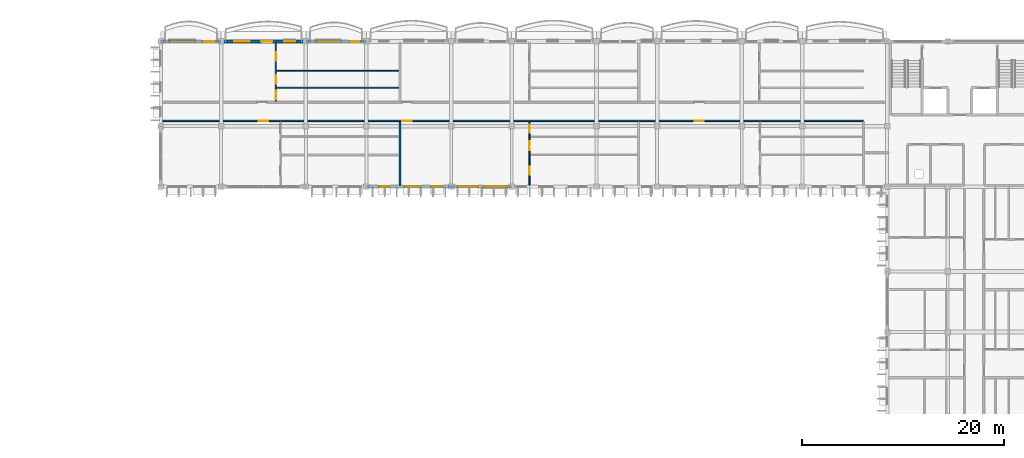
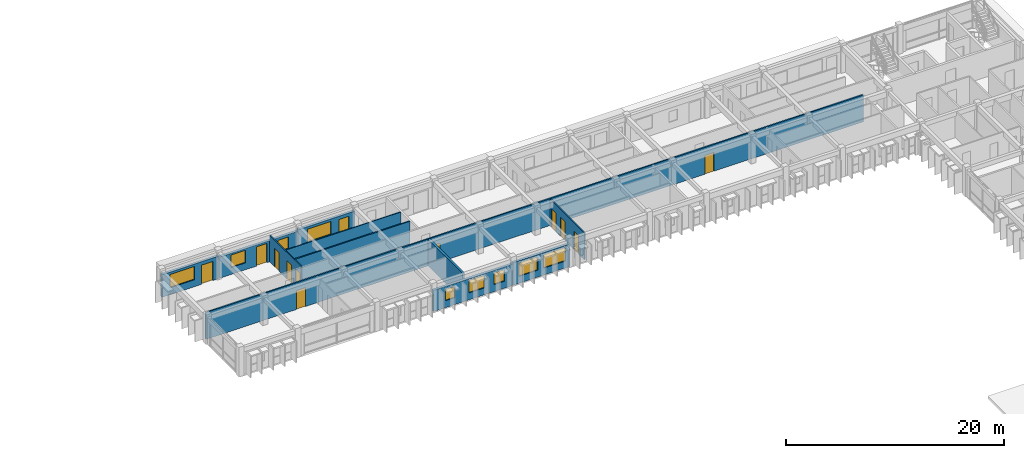
# One storey, part 30 of 54: 12 doors, 11 walls, 9 windows, 21 openings.
"""IFC4 building model written with IfcOpenShell, lengths in metres."""

import ifcopenshell
import ifcopenshell.guid

model = None  # the IFC model being written
_history = None  # IfcOwnerHistory: only IFC2X3 demands one
_inside = {}  # id of a spatial element -> (the spatial element, [elements in it])
_under = {}  # id of a project, library or spatial element -> (it, [spatial elements below it])
_declared = {}  # id of a project -> (the project, [libraries it declares])
_typed = {}  # id of a type object -> (the type object, [elements of that type])
_made_of = {}  # id of a material, layer set ... -> (it, [elements and type objects made of it])


def new_model(schema):
    """Start an empty IFC model of exactly this schema.

    Asked for "IFC4X3", IfcOpenShell would pick the latest addendum, in which some entities
    have other attributes; the version numbers below select the first issue.
    IFC2X3 requires an IfcOwnerHistory on every rooted entity: one is made here for all.
    """
    global model, _history
    if schema == "IFC4X3":
        model = ifcopenshell.file(schema_version=(4, 3, 0, 0))
    else:
        model = ifcopenshell.file(schema=schema)
    _inside.clear()
    _under.clear()
    _declared.clear()
    _typed.clear()
    _made_of.clear()
    _history = None
    if model.schema == "IFC2X3":
        org = make("IfcOrganization", Name="unknown")
        user = make(
            "IfcPersonAndOrganization",
            ThePerson=make("IfcPerson", FamilyName="unknown"),
            TheOrganization=org,
        )
        app = make(
            "IfcApplication",
            ApplicationDeveloper=org,
            Version="unknown",
            ApplicationFullName="unknown",
            ApplicationIdentifier="unknown",
        )
        _history = make(
            "IfcOwnerHistory",
            OwningUser=user,
            OwningApplication=app,
            ChangeAction="ADDED",
            CreationDate=0,
        )
    return model


def make(cls, **values):
    """One entity of the class cls with the attributes given. An attribute that is None is left unset."""
    return model.create_entity(
        cls, **{name: value for name, value in values.items() if value is not None}
    )


def rooted(cls, **values):
    """An entity with a GlobalId (a new one), such as an element, a storey or a relation."""
    return make(cls, GlobalId=ifcopenshell.guid.new(), OwnerHistory=_history, **values)


def si_unit(unit_type, name, prefix=None):
    """IfcSIUnit, for example si_unit("LENGTHUNIT", "METRE", prefix="MILLI")."""
    return make("IfcSIUnit", UnitType=unit_type, Prefix=prefix, Name=name)


def assignment(units):
    """IfcUnitAssignment: the units of a project."""
    return None if units is None else make("IfcUnitAssignment", Units=units)


def point(xyz):
    """IfcCartesianPoint."""
    return None if xyz is None else make("IfcCartesianPoint", Coordinates=xyz)


def direction(xyz):
    """IfcDirection."""
    return None if xyz is None else make("IfcDirection", DirectionRatios=xyz)


def frame(location, z_axis=None, x_axis=None):
    """IfcAxis2Placement3D, a coordinate frame: its origin and axes. An axis left out is left unset."""
    return make(
        "IfcAxis2Placement3D",
        Location=point(location),
        Axis=direction(z_axis),
        RefDirection=direction(x_axis),
    )


def frame_2d(location, x_axis=None):
    """IfcAxis2Placement2D, a coordinate frame in the plane: its origin and x axis."""
    return make(
        "IfcAxis2Placement2D", Location=point(location), RefDirection=direction(x_axis)
    )


def origin():
    """The frame at (0, 0, 0) with its axes left unset."""
    return frame((0.0, 0.0, 0.0))


def place(relative_to, where):
    """IfcLocalPlacement: puts the frame where relative to a parent placement (None: the world)."""
    return make(
        "IfcLocalPlacement", PlacementRelTo=relative_to, RelativePlacement=where
    )


def context(
    kind, dimensions, precision=None, world=None, true_north=None, identifier=None
):
    """IfcGeometricRepresentationContext, for example the 3D "Model" context."""
    return make(
        "IfcGeometricRepresentationContext",
        ContextIdentifier=identifier,
        ContextType=kind,
        CoordinateSpaceDimension=dimensions,
        Precision=precision,
        WorldCoordinateSystem=world,
        TrueNorth=true_north,
    )


def subcontext(parent, identifier, kind, view, scale=None):
    """IfcGeometricRepresentationSubContext, for example "Body" below "Model"."""
    return make(
        "IfcGeometricRepresentationSubContext",
        ContextIdentifier=identifier,
        ContextType=kind,
        ParentContext=parent,
        TargetScale=scale,
        TargetView=view,
    )


def project(units=None, contexts=None):
    """IfcProject with its units and contexts."""
    return rooted(
        "IfcProject",
        Name="project",
        RepresentationContexts=contexts,
        UnitsInContext=assignment(units),
    )


def spatial(cls, under=None, at=None, **own):
    """A site, building, storey or space (cls), placed at a placement, below another one or the project."""
    s = rooted(cls, ObjectPlacement=at, **own)
    if under is not None:
        _under.setdefault(under.id(), (under, []))[1].append(s)
    return s


def profile(cls, at=None, kind="AREA", **sizes):
    """A parametric profile (cls). Its sizes go by their IFC names, for example OverallWidth=200.0."""
    return make(cls, ProfileType=kind, Position=at, **sizes)


def rectangle(**sizes):
    """IfcRectangleProfileDef."""
    return profile("IfcRectangleProfileDef", **sizes)


def extrude(swept, where, along, depth):
    """IfcExtrudedAreaSolid: the profile swept, set in the frame where, extruded along a direction by depth."""
    return make(
        "IfcExtrudedAreaSolid",
        SweptArea=swept,
        Position=where,
        ExtrudedDirection=direction(along),
        Depth=depth,
    )


def shape(context_of_items, identifier, shape_type, items):
    """IfcShapeRepresentation: the items that make up one representation, for example the "Body"."""
    return make(
        "IfcShapeRepresentation",
        ContextOfItems=context_of_items,
        RepresentationIdentifier=identifier,
        RepresentationType=shape_type,
        Items=items,
    )


def material(Name=None, Category=None):
    """IfcMaterial."""
    return make("IfcMaterial", Name=Name, Category=Category)


def layer(
    of_material, thickness, ventilated=None, Name=None, Category=None, Priority=None
):
    """IfcMaterialLayer: one layer of a wall or slab, of a material (None: an air gap)."""
    return make(
        "IfcMaterialLayer",
        Material=of_material,
        LayerThickness=thickness,
        IsVentilated=ventilated,
        Name=Name,
        Category=Category,
        Priority=Priority,
    )


def layer_set(layers, Name=None):
    """IfcMaterialLayerSet."""
    return make("IfcMaterialLayerSet", MaterialLayers=layers, LayerSetName=Name)


def made_of(thing, what):
    """Note that an element or type object is made of a material, layer set ...; save() writes the relation."""
    if what is not None:
        _made_of.setdefault(what.id(), (what, []))[1].append(thing)
    return thing


def type_object(cls, material=None, **own):
    """A type object (cls), such as IfcWallType, which elements share."""
    return made_of(rooted(cls, **own), material)


def element(
    cls,
    number,
    at=None,
    inside=None,
    cuts=None,
    type_object=None,
    material=None,
    context=None,
    identifier="Body",
    shape_type=None,
    held_by="IfcProductDefinitionShape",
    body=None,
    shapes=None,
    **own,
):
    """One element of the class cls, such as IfcWall. Its Tag is "e" and its number.

    at: its placement. inside: the storey or other place that contains it. cuts: it is an
    opening in that element (IfcRelVoidsElement). A single representation is given by context,
    identifier, shape_type and body (its items); several are given by shapes. held_by: the class
    of the entity that holds the representations. save() writes the other relations.
    """
    e = rooted(cls, Tag="e%d" % number, ObjectPlacement=at, **own)
    if body is not None:
        shapes = [shape(context, identifier, shape_type, body)]
    if shapes is not None:
        e.Representation = make(held_by, Representations=shapes)
    if inside is not None:
        _inside.setdefault(inside.id(), (inside, []))[1].append(e)
    if cuts is not None:
        rooted(
            "IfcRelVoidsElement", RelatingBuildingElement=cuts, RelatedOpeningElement=e
        )
    if type_object is not None:
        _typed.setdefault(type_object.id(), (type_object, []))[1].append(e)
    return made_of(e, material)


def fill(opening, filler):
    """IfcRelFillsElement: the door or window that sits in an opening."""
    return rooted(
        "IfcRelFillsElement",
        RelatingOpeningElement=opening,
        RelatedBuildingElement=filler,
    )


def aggregate(whole, parts):
    """IfcRelAggregates: a whole, such as a stair, and the parts it consists of."""
    return rooted("IfcRelAggregates", RelatingObject=whole, RelatedObjects=parts)


def save(model, path):
    """Write the relations noted so far, then the file.

    IfcRelAggregates (storeys below a building ...), IfcRelContainedInSpatialStructure (elements
    in a storey), IfcRelDefinesByType, IfcRelAssociatesMaterial and IfcRelDeclares: one each for
    every whole, place, type object, material and project.
    """
    for whole, parts in _under.values():
        aggregate(whole, parts)
    for where, things in _inside.values():
        rooted(
            "IfcRelContainedInSpatialStructure",
            RelatedElements=things,
            RelatingStructure=where,
        )
    for kind, things in _typed.values():
        rooted("IfcRelDefinesByType", RelatedObjects=things, RelatingType=kind)
    for what, things in _made_of.values():
        rooted("IfcRelAssociatesMaterial", RelatedObjects=things, RelatingMaterial=what)
    for by, libraries in _declared.values():
        rooted("IfcRelDeclares", RelatingContext=by, RelatedDefinitions=libraries)
    model.write(path)


model = new_model("IFC4")

# Units and contexts
model_context = context("Model", 3, precision=1e-05, world=origin(), true_north=direction((0.0, 1.0)))
body_context = subcontext(model_context, "Body", "Model", "MODEL_VIEW")
ifc_project = project(units=[si_unit("LENGTHUNIT", "METRE"), si_unit("AREAUNIT", "SQUARE_METRE"), si_unit("VOLUMEUNIT", "CUBIC_METRE"), si_unit("PLANEANGLEUNIT", "RADIAN"), si_unit("MASSUNIT", "GRAM", prefix="KILO"), si_unit("THERMODYNAMICTEMPERATUREUNIT", "KELVIN")], contexts=[model_context])

# Site, building, storey
site_placement = place(None, origin())
site = spatial("IfcSite", under=ifc_project, at=site_placement, CompositionType="ELEMENT")
building_placement = place(site_placement, origin())
building = spatial("IfcBuilding", under=site, at=building_placement, Name="Thalorik Housing Commons", CompositionType="ELEMENT")
storey_placement = place(building_placement, frame((0.0, 0.0, 31.199951171875)))
storey = spatial("IfcBuildingStorey", under=building, at=storey_placement, Name="L09", CompositionType="ELEMENT", Elevation=31.199951171875)

# Wall, openings, doors
ifc_material_1 = material(Name="Masonry fire-rated corridor wall", Category="masonry")
ifc_layer_1 = layer(ifc_material_1, 0.14990234375, Name="Masonry fire-rated corridor wall", Category="masonry")
ifc_layer_set_1 = layer_set([ifc_layer_1], Name="Masonry fire-rated corridor wall")
wall_type_1 = type_object("IfcWallType", Name="ARC-WAL-CORR-150", PredefinedType="PARTITIONING", material=ifc_layer_set_1)
wall_1_placement = place(storey_placement, frame((80.534423828125, 115.719970703125, 0.0), z_axis=(0.0, 0.0, 1.0), x_axis=(1.0, 0.0, 0.0)))
wall_1 = element("IfcWall", 1, at=wall_1_placement, inside=storey, type_object=wall_type_1, Name="L09 Block B N Corridor Wall 1", PredefinedType="PARTITIONING", context=body_context, shape_type="SweptSolid", body=[
    extrude(rectangle(XDim=69.515625, YDim=0.14990234375, at=frame_2d((34.7578125, 0.0))), origin(), (0.0, 0.0, 1.0), 3.0),
])
opening_1_placement = place(wall_1_placement, frame((9.5732421875, 0.0, 0.0)))
opening_1 = element("IfcOpeningElement", 2, at=opening_1_placement, cuts=wall_1, Name="Opening ID-1400", PredefinedType="OPENING", context=body_context, shape_type="SweptSolid", body=[
    extrude(rectangle(XDim=0.9599609375, YDim=2.1201171875, at=frame_2d((0.47998046875, 1.06005859375))), frame((0.0, 0.0849609375, 0.0), z_axis=(0.0, -1.0, 0.0), x_axis=(1.0, 0.0, 0.0)), (0.0, 0.0, 1.0), 0.169921875),
])
opening_2_placement = place(wall_1_placement, frame((23.83544921875, 0.0, 0.0)))
opening_2 = element("IfcOpeningElement", 3, at=opening_2_placement, cuts=wall_1, Name="Opening ID-1401", PredefinedType="OPENING", context=body_context, shape_type="SweptSolid", body=[
    extrude(rectangle(XDim=0.919921875, YDim=2.10009765625, at=frame_2d((0.4599609375, 1.050048828125))), frame((0.0, 0.0849609375, 0.0), z_axis=(0.0, -1.0, 0.0), x_axis=(1.0, 0.0, 0.0)), (0.0, 0.0, 1.0), 0.169921875),
])
opening_3_placement = place(wall_1_placement, frame((52.782958984375, 0.0, 0.0)))
opening_3 = element("IfcOpeningElement", 4, at=opening_3_placement, cuts=wall_1, Name="Opening ID-1402", PredefinedType="OPENING", context=body_context, shape_type="SweptSolid", body=[
    extrude(rectangle(XDim=0.919921875, YDim=2.10009765625, at=frame_2d((0.4599609375, 1.050048828125))), frame((0.0, 0.0849609375, 0.0), z_axis=(0.0, -1.0, 0.0), x_axis=(1.0, 0.0, 0.0)), (0.0, 0.0, 1.0), 0.169921875),
])
ifc_material_2 = material(Name="Solid core hardwood timber", Category="wood")
door_type_1 = type_object("IfcDoorType", Name="ARC-DR-FD30-920", OperationType="NOTDEFINED", PredefinedType="DOOR", material=ifc_material_2)
door_1_placement = place(opening_2_placement, origin())
door_1 = element("IfcDoor", 5, at=door_1_placement, inside=storey, type_object=door_type_1, Name="L09 Flat BN-2A Entrance Door", OperationType="SINGLE_SWING_RIGHT", OverallHeight=2.10009765625, OverallWidth=0.919921875, PredefinedType="DOOR", context=body_context, shape_type="SweptSolid", body=[
    extrude(rectangle(XDim=0.919921875, YDim=2.10009765625, at=frame_2d((0.4599609375, 1.050048828125))), frame((0.0, 0.02490234375, 0.0), z_axis=(0.0, -1.0, 0.0), x_axis=(1.0, 0.0, 0.0)), (0.0, 0.0, 1.0), 0.050048828125),
])
fill(opening_2, door_1)
door_2_placement = place(opening_3_placement, origin())
door_2 = element("IfcDoor", 6, at=door_2_placement, inside=storey, type_object=door_type_1, Name="L09 Flat BN-3A Entrance Door", OperationType="SINGLE_SWING_LEFT", OverallHeight=2.10009765625, OverallWidth=0.919921875, PredefinedType="DOOR", context=body_context, shape_type="SweptSolid", body=[
    extrude(rectangle(XDim=0.919921875, YDim=2.10009765625, at=frame_2d((0.4599609375, 1.050048828125))), frame((0.0, 0.02490234375, 0.0), z_axis=(0.0, -1.0, 0.0), x_axis=(1.0, 0.0, 0.0)), (0.0, 0.0, 1.0), 0.050048828125),
])
fill(opening_3, door_2)
door_type_2 = type_object("IfcDoorType", Name="ARC-DR-FD30-960", OperationType="NOTDEFINED", PredefinedType="DOOR", material=ifc_material_2)
door_3_placement = place(opening_1_placement, origin())
door_3 = element("IfcDoor", 7, at=door_3_placement, inside=storey, type_object=door_type_2, Name="L09 Flat BN-1A Entrance Door", OperationType="SINGLE_SWING_LEFT", OverallHeight=2.1201171875, OverallWidth=0.9599609375, PredefinedType="DOOR", context=body_context, shape_type="SweptSolid", body=[
    extrude(rectangle(XDim=0.9599609375, YDim=2.1201171875, at=frame_2d((0.47998046875, 1.06005859375))), frame((0.0, 0.02490234375, 0.0), z_axis=(0.0, -1.0, 0.0), x_axis=(1.0, 0.0, 0.0)), (0.0, 0.0, 1.0), 0.050048828125),
])
fill(opening_1, door_3)

# Wall, openings, door, window
ifc_material_3 = material(Name="White precast concrete C40/50", Category="concrete")
ifc_layer_2 = layer(ifc_material_3, 0.264892578125, Name="White precast concrete C40/50", Category="concrete")
ifc_layer_set_2 = layer_set([ifc_layer_2], Name="White precast concrete C40/50")
wall_type_2 = type_object("IfcWallType", Name="ARC-WAL-EXT-265", PredefinedType="STANDARD", material=ifc_layer_set_2)
wall_2_placement = place(storey_placement, frame((100.800048828125, 123.60009765625, 0.0), z_axis=(0.0, 0.0, 1.0), x_axis=(-1.0, 0.0, 0.0)))
wall_2 = element("IfcWall", 8, at=wall_2_placement, inside=storey, type_object=wall_type_2, Name="L09 Exterior Wall WAL-EXT-L09-B-0718", PredefinedType="STANDARD", context=body_context, shape_type="SweptSolid", body=[
    extrude(rectangle(XDim=6.0, YDim=0.264892578125, at=frame_2d((3.0, 0.0))), origin(), (0.0, 0.0, 1.0), 2.525146484375),
])
opening_4_placement = place(wall_2_placement, frame((0.6201171875, 0.0, 0.0)))
opening_4 = element("IfcOpeningElement", 9, at=opening_4_placement, cuts=wall_2, Name="Opening ED-0243", PredefinedType="OPENING", context=body_context, shape_type="SweptSolid", body=[
    extrude(rectangle(XDim=1.050048828125, YDim=2.14990234375, at=frame_2d((0.52490234375, 1.074951171875))), frame((0.0, 0.142578125, 0.0), z_axis=(0.0, -1.0, 0.0), x_axis=(1.0, 0.0, 0.0)), (0.0, 0.0, 1.0), 0.284912109375),
])
opening_5_placement = place(wall_2_placement, frame((2.52490234375, 0.0, 0.780029296875)))
opening_5 = element("IfcOpeningElement", 10, at=opening_5_placement, cuts=wall_2, Name="Opening W-71", PredefinedType="OPENING", context=body_context, shape_type="SweptSolid", body=[
    extrude(rectangle(XDim=2.47998046875, YDim=1.4599609375, at=frame_2d((1.239990234375, 0.72998046875))), frame((0.0, 0.142578125, 0.0), z_axis=(0.0, -1.0, 0.0), x_axis=(1.0, 0.0, 0.0)), (0.0, 0.0, 1.0), 0.284912109375),
])
ifc_material_4 = material(Name="Anodised aluminium and laminated safety glass", Category="aluminium")
door_type_3 = type_object("IfcDoorType", Name="ARC-DR-BAL-1050", OperationType="NOTDEFINED", PredefinedType="DOOR", material=ifc_material_4)
door_4_placement = place(opening_4_placement, frame((1.050048828125, 0.0, 0.0), z_axis=(0.0, 0.0, 1.0), x_axis=(-1.0, 0.0, 0.0)))
door_4 = element("IfcDoor", 11, at=door_4_placement, inside=storey, type_object=door_type_3, Name="L09 Block B Balcony Glazed Door", OperationType="SINGLE_SWING_RIGHT", OverallHeight=2.14990234375, OverallWidth=1.050048828125, PredefinedType="DOOR", context=body_context, shape_type="SweptSolid", body=[
    extrude(rectangle(XDim=1.050048828125, YDim=2.14990234375, at=frame_2d((0.52490234375, 1.074951171875))), frame((0.0, 0.02490234375, 0.0), z_axis=(0.0, -1.0, 0.0), x_axis=(1.0, 0.0, 0.0)), (0.0, 0.0, 1.0), 0.050048828125),
])
fill(opening_4, door_4)
ifc_material_5 = material(Name="Anodised aluminium and solar-control low-E glass", Category="aluminium")
window_type_1 = type_object("IfcWindowType", Name="ARC-WIN-71", PartitioningType="DOUBLE_PANEL_VERTICAL", PredefinedType="WINDOW", material=ifc_material_5)
window_1_placement = place(opening_5_placement, origin())
window_1 = element("IfcWindow", 12, at=window_1_placement, inside=storey, type_object=window_type_1, Name="L09 Facade Window 1318", OverallHeight=1.4599609375, OverallWidth=2.47998046875, PartitioningType="DOUBLE_PANEL_VERTICAL", PredefinedType="WINDOW", context=body_context, shape_type="SweptSolid", body=[
    extrude(rectangle(XDim=2.47998046875, YDim=1.4599609375, at=frame_2d((1.239990234375, 0.72998046875))), frame((0.0, 0.030029296875, 0.0), z_axis=(0.0, -1.0, 0.0), x_axis=(1.0, 0.0, 0.0)), (0.0, 0.0, 1.0), 0.06005859375),
])
fill(opening_5, window_1)

# Wall, openings, door, windows
wall_3_placement = place(storey_placement, frame((94.800048828125, 123.60009765625, 0.0), z_axis=(0.0, 0.0, 1.0), x_axis=(-1.0, 0.0, 0.0)))
wall_3 = element("IfcWall", 13, at=wall_3_placement, inside=storey, type_object=wall_type_2, Name="L09 Exterior Wall WAL-EXT-L09-B-0719", PredefinedType="STANDARD", context=body_context, shape_type="SweptSolid", body=[
    extrude(rectangle(XDim=8.400146484375, YDim=0.264892578125, at=frame_2d((4.2001953125, 0.0))), origin(), (0.0, 0.0, 1.0), 2.375),
])
opening_6_placement = place(wall_3_placement, frame((3.313232421875, 0.0, 0.0)))
opening_6 = element("IfcOpeningElement", 14, at=opening_6_placement, cuts=wall_3, Name="Opening ED-0244", PredefinedType="OPENING", context=body_context, shape_type="SweptSolid", body=[
    extrude(rectangle(XDim=1.10009765625, YDim=2.14990234375, at=frame_2d((0.550048828125, 1.074951171875))), frame((0.0, 0.142578125, 0.0), z_axis=(0.0, -1.0, 0.0), x_axis=(1.0, 0.0, 0.0)), (0.0, 0.0, 1.0), 0.284912109375),
])
opening_7_placement = place(wall_3_placement, frame((1.03662109375, 0.0, 0.780029296875)))
opening_7 = element("IfcOpeningElement", 15, at=opening_7_placement, cuts=wall_3, Name="Opening W-03", PredefinedType="OPENING", context=body_context, shape_type="SweptSolid", body=[
    extrude(rectangle(XDim=1.10009765625, YDim=1.300048828125, at=frame_2d((0.550048828125, 0.64990234375))), frame((0.0, 0.142578125, 0.0), z_axis=(0.0, -1.0, 0.0), x_axis=(1.0, 0.0, 0.0)), (0.0, 0.0, 1.0), 0.284912109375),
])
opening_8_placement = place(wall_3_placement, frame((5.5615234375, 0.0, 0.780029296875)))
opening_8 = element("IfcOpeningElement", 16, at=opening_8_placement, cuts=wall_3, Name="Opening W-12", PredefinedType="OPENING", context=body_context, shape_type="SweptSolid", body=[
    extrude(rectangle(XDim=1.550048828125, YDim=1.39990234375, at=frame_2d((0.77490234375, 0.699951171875))), frame((0.0, 0.142578125, 0.0), z_axis=(0.0, -1.0, 0.0), x_axis=(1.0, 0.0, 0.0)), (0.0, 0.0, 1.0), 0.284912109375),
])
door_type_4 = type_object("IfcDoorType", Name="ARC-DR-BAL-1100", OperationType="NOTDEFINED", PredefinedType="DOOR", material=ifc_material_4)
door_5_placement = place(opening_6_placement, frame((1.10009765625, 0.0, 0.0), z_axis=(0.0, 0.0, 1.0), x_axis=(-1.0, 0.0, 0.0)))
door_5 = element("IfcDoor", 17, at=door_5_placement, inside=storey, type_object=door_type_4, Name="L09 Block B Balcony Glazed Door", OperationType="SINGLE_SWING_LEFT", OverallHeight=2.14990234375, OverallWidth=1.10009765625, PredefinedType="DOOR", context=body_context, shape_type="SweptSolid", body=[
    extrude(rectangle(XDim=1.10009765625, YDim=2.14990234375, at=frame_2d((0.550048828125, 1.074951171875))), frame((0.0, 0.02490234375, 0.0), z_axis=(0.0, -1.0, 0.0), x_axis=(1.0, 0.0, 0.0)), (0.0, 0.0, 1.0), 0.050048828125),
])
fill(opening_6, door_5)
window_type_2 = type_object("IfcWindowType", Name="ARC-WIN-03", PartitioningType="SINGLE_PANEL", PredefinedType="WINDOW", material=ifc_material_5)
window_2_placement = place(opening_7_placement, origin())
window_2 = element("IfcWindow", 18, at=window_2_placement, inside=storey, type_object=window_type_2, Name="L09 Facade Window 1319", OverallHeight=1.300048828125, OverallWidth=1.10009765625, PartitioningType="SINGLE_PANEL", PredefinedType="WINDOW", context=body_context, shape_type="SweptSolid", body=[
    extrude(rectangle(XDim=1.10009765625, YDim=1.300048828125, at=frame_2d((0.550048828125, 0.64990234375))), frame((0.0, 0.030029296875, 0.0), z_axis=(0.0, -1.0, 0.0), x_axis=(1.0, 0.0, 0.0)), (0.0, 0.0, 1.0), 0.06005859375),
])
fill(opening_7, window_2)
window_type_3 = type_object("IfcWindowType", Name="ARC-WIN-12", PartitioningType="SINGLE_PANEL", PredefinedType="WINDOW", material=ifc_material_5)
window_3_placement = place(opening_8_placement, origin())
window_3 = element("IfcWindow", 19, at=window_3_placement, inside=storey, type_object=window_type_3, Name="L09 Facade Window 1320", OverallHeight=1.39990234375, OverallWidth=1.550048828125, PartitioningType="SINGLE_PANEL", PredefinedType="WINDOW", context=body_context, shape_type="SweptSolid", body=[
    extrude(rectangle(XDim=1.550048828125, YDim=1.39990234375, at=frame_2d((0.77490234375, 0.699951171875))), frame((0.0, 0.030029296875, 0.0), z_axis=(0.0, -1.0, 0.0), x_axis=(1.0, 0.0, 0.0)), (0.0, 0.0, 1.0), 0.06005859375),
])
fill(opening_8, window_3)

# Wall, openings, door, window
wall_4_placement = place(storey_placement, frame((86.39990234375, 123.60009765625, 0.0), z_axis=(0.0, 0.0, 1.0), x_axis=(-1.0, 0.0, 0.0)))
wall_4 = element("IfcWall", 20, at=wall_4_placement, inside=storey, type_object=wall_type_2, Name="L09 Exterior Wall WAL-EXT-L09-B-0720", PredefinedType="STANDARD", context=body_context, shape_type="SweptSolid", body=[
    extrude(rectangle(XDim=6.0, YDim=0.264892578125, at=frame_2d((3.0, 0.0))), origin(), (0.0, 0.0, 1.0), 2.525146484375),
])
opening_9_placement = place(wall_4_placement, frame((0.6201171875, 0.0, 0.0)))
opening_9 = element("IfcOpeningElement", 21, at=opening_9_placement, cuts=wall_4, Name="Opening ED-0245", PredefinedType="OPENING", context=body_context, shape_type="SweptSolid", body=[
    extrude(rectangle(XDim=1.199951171875, YDim=2.14990234375, at=frame_2d((0.60009765625, 1.074951171875))), frame((0.0, 0.142578125, 0.0), z_axis=(0.0, -1.0, 0.0), x_axis=(1.0, 0.0, 0.0)), (0.0, 0.0, 1.0), 0.284912109375),
])
opening_10_placement = place(wall_4_placement, frame((2.550048828125, 0.0, 0.780029296875)))
opening_10 = element("IfcOpeningElement", 22, at=opening_10_placement, cuts=wall_4, Name="Opening W-73", PredefinedType="OPENING", context=body_context, shape_type="SweptSolid", body=[
    extrude(rectangle(XDim=2.580078125, YDim=1.47998046875, at=frame_2d((1.2900390625, 0.739990234375))), frame((0.0, 0.142578125, 0.0), z_axis=(0.0, -1.0, 0.0), x_axis=(1.0, 0.0, 0.0)), (0.0, 0.0, 1.0), 0.284912109375),
])
door_type_5 = type_object("IfcDoorType", Name="ARC-DR-BAL-1200", OperationType="NOTDEFINED", PredefinedType="DOOR", material=ifc_material_4)
door_6_placement = place(opening_9_placement, frame((1.199951171875, 0.0, 0.0), z_axis=(0.0, 0.0, 1.0), x_axis=(-1.0, 0.0, 0.0)))
door_6 = element("IfcDoor", 23, at=door_6_placement, inside=storey, type_object=door_type_5, Name="L09 Block B Balcony Glazed Door", OperationType="SINGLE_SWING_RIGHT", OverallHeight=2.14990234375, OverallWidth=1.199951171875, PredefinedType="DOOR", context=body_context, shape_type="SweptSolid", body=[
    extrude(rectangle(XDim=1.199951171875, YDim=2.14990234375, at=frame_2d((0.60009765625, 1.074951171875))), frame((0.0, 0.02490234375, 0.0), z_axis=(0.0, -1.0, 0.0), x_axis=(1.0, 0.0, 0.0)), (0.0, 0.0, 1.0), 0.050048828125),
])
fill(opening_9, door_6)
window_type_4 = type_object("IfcWindowType", Name="ARC-WIN-73", PartitioningType="DOUBLE_PANEL_VERTICAL", PredefinedType="WINDOW", material=ifc_material_5)
window_4_placement = place(opening_10_placement, origin())
window_4 = element("IfcWindow", 24, at=window_4_placement, inside=storey, type_object=window_type_4, Name="L09 Facade Window 1321", OverallHeight=1.47998046875, OverallWidth=2.580078125, PartitioningType="DOUBLE_PANEL_VERTICAL", PredefinedType="WINDOW", context=body_context, shape_type="SweptSolid", body=[
    extrude(rectangle(XDim=2.580078125, YDim=1.47998046875, at=frame_2d((1.2900390625, 0.739990234375))), frame((0.0, 0.030029296875, 0.0), z_axis=(0.0, -1.0, 0.0), x_axis=(1.0, 0.0, 0.0)), (0.0, 0.0, 1.0), 0.06005859375),
])
fill(opening_10, window_4)

# Wall, openings, windows
wall_5_placement = place(storey_placement, frame((100.800048828125, 109.199951171875, 0.0), z_axis=(0.0, 0.0, 1.0), x_axis=(1.0, 0.0, 0.0)))
wall_5 = element("IfcWall", 25, at=wall_5_placement, inside=storey, type_object=wall_type_2, Name="L09 Exterior Wall WAL-EXT-L09-B-0726", PredefinedType="STANDARD", context=body_context, shape_type="SweptSolid", body=[
    extrude(rectangle(XDim=8.39990234375, YDim=0.264892578125, at=frame_2d((4.199951171875, 0.0))), origin(), (0.0, 0.0, 1.0), 2.375),
])
opening_11_placement = place(wall_5_placement, frame((1.2548828125, 0.0, 0.780029296875)))
opening_11 = element("IfcOpeningElement", 26, at=opening_11_placement, cuts=wall_5, Name="Opening W-02", PredefinedType="OPENING", context=body_context, shape_type="SweptSolid", body=[
    extrude(rectangle(XDim=1.0, YDim=1.25, at=frame_2d((0.5, 0.625))), frame((0.0, 0.142578125, 0.0), z_axis=(0.0, -1.0, 0.0), x_axis=(1.0, 0.0, 0.0)), (0.0, 0.0, 1.0), 0.284912109375),
])
opening_12_placement = place(wall_5_placement, frame((3.767578125, 0.0, 0.780029296875)))
opening_12 = element("IfcOpeningElement", 27, at=opening_12_placement, cuts=wall_5, Name="Opening W-54", PredefinedType="OPENING", context=body_context, shape_type="SweptSolid", body=[
    extrude(rectangle(XDim=1.6201171875, YDim=1.3798828125, at=frame_2d((0.81005859375, 0.68994140625))), frame((0.0, 0.142578125, 0.0), z_axis=(0.0, -1.0, 0.0), x_axis=(1.0, 0.0, 0.0)), (0.0, 0.0, 1.0), 0.284912109375),
])
opening_13_placement = place(wall_5_placement, frame((6.402587890625, 0.0, 0.780029296875)))
opening_13 = element("IfcOpeningElement", 28, at=opening_13_placement, cuts=wall_5, Name="Opening W-03", PredefinedType="OPENING", context=body_context, shape_type="SweptSolid", body=[
    extrude(rectangle(XDim=1.10009765625, YDim=1.300048828125, at=frame_2d((0.550048828125, 0.64990234375))), frame((0.0, 0.142578125, 0.0), z_axis=(0.0, -1.0, 0.0), x_axis=(1.0, 0.0, 0.0)), (0.0, 0.0, 1.0), 0.284912109375),
])
window_type_5 = type_object("IfcWindowType", Name="ARC-WIN-02", PartitioningType="SINGLE_PANEL", PredefinedType="WINDOW", material=ifc_material_5)
window_5_placement = place(opening_11_placement, origin())
window_5 = element("IfcWindow", 29, at=window_5_placement, inside=storey, type_object=window_type_5, Name="L09 Facade Window 1329", OverallHeight=1.25, OverallWidth=1.0, PartitioningType="SINGLE_PANEL", PredefinedType="WINDOW", context=body_context, shape_type="SweptSolid", body=[
    extrude(rectangle(XDim=1.0, YDim=1.25, at=frame_2d((0.5, 0.625))), frame((0.0, 0.030029296875, 0.0), z_axis=(0.0, -1.0, 0.0), x_axis=(1.0, 0.0, 0.0)), (0.0, 0.0, 1.0), 0.06005859375),
])
fill(opening_11, window_5)
window_6_placement = place(opening_13_placement, origin())
window_6 = element("IfcWindow", 30, at=window_6_placement, inside=storey, type_object=window_type_2, Name="L09 Facade Window 1331", OverallHeight=1.300048828125, OverallWidth=1.10009765625, PartitioningType="SINGLE_PANEL", PredefinedType="WINDOW", context=body_context, shape_type="SweptSolid", body=[
    extrude(rectangle(XDim=1.10009765625, YDim=1.300048828125, at=frame_2d((0.550048828125, 0.64990234375))), frame((0.0, 0.030029296875, 0.0), z_axis=(0.0, -1.0, 0.0), x_axis=(1.0, 0.0, 0.0)), (0.0, 0.0, 1.0), 0.06005859375),
])
fill(opening_13, window_6)
window_type_6 = type_object("IfcWindowType", Name="ARC-WIN-54", PartitioningType="DOUBLE_PANEL_VERTICAL", PredefinedType="WINDOW", material=ifc_material_5)
window_7_placement = place(opening_12_placement, origin())
window_7 = element("IfcWindow", 31, at=window_7_placement, inside=storey, type_object=window_type_6, Name="L09 Facade Window 1330", OverallHeight=1.3798828125, OverallWidth=1.6201171875, PartitioningType="DOUBLE_PANEL_VERTICAL", PredefinedType="WINDOW", context=body_context, shape_type="SweptSolid", body=[
    extrude(rectangle(XDim=1.6201171875, YDim=1.3798828125, at=frame_2d((0.81005859375, 0.68994140625))), frame((0.0, 0.030029296875, 0.0), z_axis=(0.0, -1.0, 0.0), x_axis=(1.0, 0.0, 0.0)), (0.0, 0.0, 1.0), 0.06005859375),
])
fill(opening_12, window_7)

wall_6_placement = place(storey_placement, frame((109.199951171875, 109.199951171875, 0.0), z_axis=(0.0, 0.0, 1.0), x_axis=(1.0, 0.0, 0.0)))
wall_6 = element("IfcWall", 32, at=wall_6_placement, inside=storey, type_object=wall_type_2, Name="L09 Exterior Wall WAL-EXT-L09-B-0727", PredefinedType="STANDARD", context=body_context, shape_type="SweptSolid", body=[
    extrude(rectangle(XDim=6.0, YDim=0.264892578125, at=frame_2d((3.0, 0.0))), origin(), (0.0, 0.0, 1.0), 2.525146484375),
])
opening_14_placement = place(wall_6_placement, frame((0.639892578125, 0.0, 0.780029296875)))
opening_14 = element("IfcOpeningElement", 33, at=opening_14_placement, cuts=wall_6, Name="Opening W-61", PredefinedType="OPENING", context=body_context, shape_type="SweptSolid", body=[
    extrude(rectangle(XDim=1.97998046875, YDim=1.5, at=frame_2d((0.989990234375, 0.75))), frame((0.0, 0.142578125, 0.0), z_axis=(0.0, -1.0, 0.0), x_axis=(1.0, 0.0, 0.0)), (0.0, 0.0, 1.0), 0.284912109375),
])
opening_15_placement = place(wall_6_placement, frame((3.2099609375, 0.0, 0.780029296875)))
opening_15 = element("IfcOpeningElement", 34, at=opening_15_placement, cuts=wall_6, Name="Opening W-68", PredefinedType="OPENING", context=body_context, shape_type="SweptSolid", body=[
    extrude(rectangle(XDim=2.320068359375, YDim=1.5, at=frame_2d((1.16015625, 0.75))), frame((0.0, 0.142578125, 0.0), z_axis=(0.0, -1.0, 0.0), x_axis=(1.0, 0.0, 0.0)), (0.0, 0.0, 1.0), 0.284912109375),
])
window_type_7 = type_object("IfcWindowType", Name="ARC-WIN-61", PartitioningType="DOUBLE_PANEL_VERTICAL", PredefinedType="WINDOW", material=ifc_material_5)
window_8_placement = place(opening_14_placement, origin())
window_8 = element("IfcWindow", 35, at=window_8_placement, inside=storey, type_object=window_type_7, Name="L09 Facade Window 1332", OverallHeight=1.5, OverallWidth=1.97998046875, PartitioningType="DOUBLE_PANEL_VERTICAL", PredefinedType="WINDOW", context=body_context, shape_type="SweptSolid", body=[
    extrude(rectangle(XDim=1.97998046875, YDim=1.5, at=frame_2d((0.989990234375, 0.75))), frame((0.0, 0.030029296875, 0.0), z_axis=(0.0, -1.0, 0.0), x_axis=(1.0, 0.0, 0.0)), (0.0, 0.0, 1.0), 0.06005859375),
])
fill(opening_14, window_8)
window_type_8 = type_object("IfcWindowType", Name="ARC-WIN-68", PartitioningType="DOUBLE_PANEL_VERTICAL", PredefinedType="WINDOW", material=ifc_material_5)
window_9_placement = place(opening_15_placement, origin())
window_9 = element("IfcWindow", 36, at=window_9_placement, inside=storey, type_object=window_type_8, Name="L09 Facade Window 1333", OverallHeight=1.5, OverallWidth=2.320068359375, PartitioningType="DOUBLE_PANEL_VERTICAL", PredefinedType="WINDOW", context=body_context, shape_type="SweptSolid", body=[
    extrude(rectangle(XDim=2.320068359375, YDim=1.5, at=frame_2d((1.16015625, 0.75))), frame((0.0, 0.030029296875, 0.0), z_axis=(0.0, -1.0, 0.0), x_axis=(1.0, 0.0, 0.0)), (0.0, 0.0, 1.0), 0.06005859375),
])
fill(opening_15, window_9)

# Wall
ifc_material_6 = material(Name="Gypsum light stud partition", Category="masonry")
ifc_layer_3 = layer(ifc_material_6, 0.10009765625, Name="Gypsum light stud partition", Category="masonry")
ifc_layer_set_3 = layer_set([ifc_layer_3], Name="Gypsum light stud partition")
wall_type_3 = type_object("IfcWallType", Name="ARC-WAL-PART-100", PredefinedType="PARTITIONING", material=ifc_layer_set_3)
wall_7_placement = place(storey_placement, frame((91.876220703125, 120.67919921875, 0.0), z_axis=(0.0, 0.0, 1.0), x_axis=(1.0, 0.0, 0.0)))
element("IfcWall", 37, at=wall_7_placement, inside=storey, type_object=wall_type_3, Name="L09 Unit 1B Bedroom Partition", PredefinedType="PARTITIONING", context=body_context, shape_type="SweptSolid", body=[
    extrude(rectangle(XDim=12.149169921875, YDim=0.10009765625, at=frame_2d((6.07470703125, 0.0))), origin(), (0.0, 0.0, 1.0), 3.0),
])

# Wall, openings, doors
ifc_material_7 = material(Name="Gypsum moisture-resistant partition", Category="masonry")
ifc_layer_4 = layer(ifc_material_7, 0.114990234375, Name="Gypsum moisture-resistant partition", Category="masonry")
ifc_layer_set_4 = layer_set([ifc_layer_4], Name="Gypsum moisture-resistant partition")
wall_type_4 = type_object("IfcWallType", Name="ARC-WAL-PART-115", PredefinedType="PARTITIONING", material=ifc_layer_set_4)
wall_8_placement = place(storey_placement, frame((91.81689453125, 117.66455078125, 0.0), z_axis=(0.0, 0.0, 1.0), x_axis=(0.0, 1.0, 0.0)))
wall_8 = element("IfcWall", 38, at=wall_8_placement, inside=storey, type_object=wall_type_4, Name="L09 Unit 1B Spine Partition", PredefinedType="PARTITIONING", context=body_context, shape_type="SweptSolid", body=[
    extrude(rectangle(XDim=5.801025390625, YDim=0.114990234375, at=frame_2d((2.900390625, 0.0))), origin(), (0.0, 0.0, 1.0), 3.0),
])
opening_16_placement = place(wall_8_placement, frame((0.230712890625, 0.0, 0.0)))
opening_16 = element("IfcOpeningElement", 39, at=opening_16_placement, cuts=wall_8, Name="Opening ID-1385", PredefinedType="OPENING", context=body_context, shape_type="SweptSolid", body=[
    extrude(rectangle(XDim=0.800048828125, YDim=2.10009765625, at=frame_2d((0.39990234375, 1.050048828125))), frame((0.0, 0.0673828125, 0.0), z_axis=(0.0, -1.0, 0.0), x_axis=(1.0, 0.0, 0.0)), (0.0, 0.0, 1.0), 0.135009765625),
])
opening_17_placement = place(wall_8_placement, frame((1.75537109375, 0.0, 0.0)))
opening_17 = element("IfcOpeningElement", 40, at=opening_17_placement, cuts=wall_8, Name="Opening ID-1386", PredefinedType="OPENING", context=body_context, shape_type="SweptSolid", body=[
    extrude(rectangle(XDim=0.85009765625, YDim=2.10009765625, at=frame_2d((0.425048828125, 1.050048828125))), frame((0.0, 0.0673828125, 0.0), z_axis=(0.0, -1.0, 0.0), x_axis=(1.0, 0.0, 0.0)), (0.0, 0.0, 1.0), 0.135009765625),
])
opening_18_placement = place(wall_8_placement, frame((4.02001953125, 0.0, 0.0)))
opening_18 = element("IfcOpeningElement", 41, at=opening_18_placement, cuts=wall_8, Name="Opening ID-1387", PredefinedType="OPENING", context=body_context, shape_type="SweptSolid", body=[
    extrude(rectangle(XDim=0.85009765625, YDim=2.10009765625, at=frame_2d((0.425048828125, 1.050048828125))), frame((0.0, 0.0673828125, 0.0), z_axis=(0.0, -1.0, 0.0), x_axis=(1.0, 0.0, 0.0)), (0.0, 0.0, 1.0), 0.135009765625),
])
ifc_material_8 = material(Name="Moisture-resistant timber", Category="wood")
door_type_6 = type_object("IfcDoorType", Name="ARC-DR-INT-800", OperationType="NOTDEFINED", PredefinedType="DOOR", material=ifc_material_8)
door_7_placement = place(opening_16_placement, origin())
door_7 = element("IfcDoor", 42, at=door_7_placement, inside=storey, type_object=door_type_6, Name="L09 Flat Bathroom Door", OperationType="SINGLE_SWING_RIGHT", OverallHeight=2.10009765625, OverallWidth=0.800048828125, PredefinedType="DOOR", context=body_context, shape_type="SweptSolid", body=[
    extrude(rectangle(XDim=0.800048828125, YDim=2.10009765625, at=frame_2d((0.39990234375, 1.050048828125))), frame((0.0, 0.02490234375, 0.0), z_axis=(0.0, -1.0, 0.0), x_axis=(1.0, 0.0, 0.0)), (0.0, 0.0, 1.0), 0.050048828125),
])
fill(opening_16, door_7)
ifc_material_9 = material(Name="Engineered oak timber", Category="wood")
door_type_7 = type_object("IfcDoorType", Name="ARC-DR-INT-850", OperationType="NOTDEFINED", PredefinedType="DOOR", material=ifc_material_9)
door_8_placement = place(opening_17_placement, origin())
door_8 = element("IfcDoor", 43, at=door_8_placement, inside=storey, type_object=door_type_7, Name="L09 Galley Kitchen Door", OperationType="SINGLE_SWING_LEFT", OverallHeight=2.10009765625, OverallWidth=0.85009765625, PredefinedType="DOOR", context=body_context, shape_type="SweptSolid", body=[
    extrude(rectangle(XDim=0.85009765625, YDim=2.10009765625, at=frame_2d((0.425048828125, 1.050048828125))), frame((0.0, 0.02490234375, 0.0), z_axis=(0.0, -1.0, 0.0), x_axis=(1.0, 0.0, 0.0)), (0.0, 0.0, 1.0), 0.050048828125),
])
fill(opening_17, door_8)
door_9_placement = place(opening_18_placement, origin())
door_9 = element("IfcDoor", 44, at=door_9_placement, inside=storey, type_object=door_type_7, Name="L09 Double Bedroom Door", OperationType="SINGLE_SWING_RIGHT", OverallHeight=2.10009765625, OverallWidth=0.85009765625, PredefinedType="DOOR", context=body_context, shape_type="SweptSolid", body=[
    extrude(rectangle(XDim=0.85009765625, YDim=2.10009765625, at=frame_2d((0.425048828125, 1.050048828125))), frame((0.0, 0.02490234375, 0.0), z_axis=(0.0, -1.0, 0.0), x_axis=(1.0, 0.0, 0.0)), (0.0, 0.0, 1.0), 0.050048828125),
])
fill(opening_18, door_9)

ifc_material_10 = material(Name="Gypsum acoustic stud partition", Category="masonry")
ifc_layer_5 = layer(ifc_material_10, 0.125, Name="Gypsum acoustic stud partition", Category="masonry")
ifc_layer_set_5 = layer_set([ifc_layer_5], Name="Gypsum acoustic stud partition")
wall_type_5 = type_object("IfcWallType", Name="ARC-WAL-PART-125", PredefinedType="PARTITIONING", material=ifc_layer_set_5)
wall_9_placement = place(storey_placement, frame((116.949951171875, 109.33447265625, 0.0), z_axis=(0.0, 0.0, 1.0), x_axis=(0.0, 1.0, 0.0)))
wall_9 = element("IfcWall", 45, at=wall_9_placement, inside=storey, type_object=wall_type_5, Name="L09 Unit 2 Spine Partition", PredefinedType="PARTITIONING", context=body_context, shape_type="SweptSolid", body=[
    extrude(rectangle(XDim=6.30859375, YDim=0.125, at=frame_2d((3.154296875, 0.0))), origin(), (0.0, 0.0, 1.0), 3.0),
])
opening_19_placement = place(wall_9_placement, frame((1.05078125, 0.0, 0.0)))
opening_19 = element("IfcOpeningElement", 46, at=opening_19_placement, cuts=wall_9, Name="Opening ID-1388", PredefinedType="OPENING", context=body_context, shape_type="SweptSolid", body=[
    extrude(rectangle(XDim=0.820068359375, YDim=2.080078125, at=frame_2d((0.41015625, 1.0400390625))), frame((0.0, 0.072509765625, 0.0), z_axis=(0.0, -1.0, 0.0), x_axis=(1.0, 0.0, 0.0)), (0.0, 0.0, 1.0), 0.14501953125),
])
opening_20_placement = place(wall_9_placement, frame((3.505615234375, 0.0, 0.0)))
opening_20 = element("IfcOpeningElement", 47, at=opening_20_placement, cuts=wall_9, Name="Opening ID-1389", PredefinedType="OPENING", context=body_context, shape_type="SweptSolid", body=[
    extrude(rectangle(XDim=0.85009765625, YDim=2.10009765625, at=frame_2d((0.425048828125, 1.050048828125))), frame((0.0, 0.072509765625, 0.0), z_axis=(0.0, -1.0, 0.0), x_axis=(1.0, 0.0, 0.0)), (0.0, 0.0, 1.0), 0.14501953125),
])
opening_21_placement = place(wall_9_placement, frame((5.210205078125, 0.0, 0.0)))
opening_21 = element("IfcOpeningElement", 48, at=opening_21_placement, cuts=wall_9, Name="Opening ID-1390", PredefinedType="OPENING", context=body_context, shape_type="SweptSolid", body=[
    extrude(rectangle(XDim=0.800048828125, YDim=2.10009765625, at=frame_2d((0.39990234375, 1.050048828125))), frame((0.0, 0.072509765625, 0.0), z_axis=(0.0, -1.0, 0.0), x_axis=(1.0, 0.0, 0.0)), (0.0, 0.0, 1.0), 0.14501953125),
])
door_10_placement = place(opening_21_placement, origin())
door_10 = element("IfcDoor", 49, at=door_10_placement, inside=storey, type_object=door_type_6, Name="L09 Accessible Bathroom Door", OperationType="SINGLE_SWING_LEFT", OverallHeight=2.10009765625, OverallWidth=0.800048828125, PredefinedType="DOOR", context=body_context, shape_type="SweptSolid", body=[
    extrude(rectangle(XDim=0.800048828125, YDim=2.10009765625, at=frame_2d((0.39990234375, 1.050048828125))), frame((0.0, 0.02490234375, 0.0), z_axis=(0.0, -1.0, 0.0), x_axis=(1.0, 0.0, 0.0)), (0.0, 0.0, 1.0), 0.050048828125),
])
fill(opening_21, door_10)
door_type_8 = type_object("IfcDoorType", Name="ARC-DR-INT-820", OperationType="NOTDEFINED", PredefinedType="DOOR", material=ifc_material_9)
door_11_placement = place(opening_19_placement, origin())
door_11 = element("IfcDoor", 50, at=door_11_placement, inside=storey, type_object=door_type_8, Name="L09 Master Bedroom Door", OperationType="SINGLE_SWING_LEFT", OverallHeight=2.080078125, OverallWidth=0.820068359375, PredefinedType="DOOR", context=body_context, shape_type="SweptSolid", body=[
    extrude(rectangle(XDim=0.820068359375, YDim=2.080078125, at=frame_2d((0.41015625, 1.0400390625))), frame((0.0, 0.02490234375, 0.0), z_axis=(0.0, -1.0, 0.0), x_axis=(1.0, 0.0, 0.0)), (0.0, 0.0, 1.0), 0.050048828125),
])
fill(opening_19, door_11)
door_12_placement = place(opening_20_placement, origin())
door_12 = element("IfcDoor", 51, at=door_12_placement, inside=storey, type_object=door_type_7, Name="L09 Eat-In Kitchen Door", OperationType="SINGLE_SWING_RIGHT", OverallHeight=2.10009765625, OverallWidth=0.85009765625, PredefinedType="DOOR", context=body_context, shape_type="SweptSolid", body=[
    extrude(rectangle(XDim=0.85009765625, YDim=2.10009765625, at=frame_2d((0.425048828125, 1.050048828125))), frame((0.0, 0.02490234375, 0.0), z_axis=(0.0, -1.0, 0.0), x_axis=(1.0, 0.0, 0.0)), (0.0, 0.0, 1.0), 0.050048828125),
])
fill(opening_20, door_12)

# Walls
ifc_material_11 = material(Name="Ceramic masonry partition wall", Category="masonry")
ifc_layer_6 = layer(ifc_material_11, 0.139892578125, Name="Ceramic masonry partition wall", Category="masonry")
ifc_layer_set_6 = layer_set([ifc_layer_6], Name="Ceramic masonry partition wall")
wall_type_6 = type_object("IfcWallType", Name="ARC-WAL-PART-140", PredefinedType="PARTITIONING", material=ifc_layer_set_6)
wall_10_placement = place(storey_placement, frame((91.876220703125, 119.010498046875, 0.0), z_axis=(0.0, 0.0, 1.0), x_axis=(1.0, 0.0, 0.0)))
element("IfcWall", 52, at=wall_10_placement, inside=storey, type_object=wall_type_6, Name="L09 Unit 1B Wet Wall", PredefinedType="PARTITIONING", context=body_context, shape_type="SweptSolid", body=[
    extrude(rectangle(XDim=12.149169921875, YDim=0.139892578125, at=frame_2d((6.07470703125, 0.0))), origin(), (0.0, 0.0, 1.0), 3.0),
])
ifc_material_12 = material(Name="Precast concrete C40/50 acoustic wall", Category="concrete")
ifc_layer_7 = layer(ifc_material_12, 0.219970703125, Name="Precast concrete C40/50 acoustic wall", Category="concrete")
ifc_layer_set_7 = layer_set([ifc_layer_7], Name="Precast concrete C40/50 acoustic wall")
wall_type_7 = type_object("IfcWallType", Name="ARC-WAL-PARTY-220", PredefinedType="PARTITIONING", material=ifc_layer_set_7)
wall_11_placement = place(storey_placement, frame((104.1201171875, 109.33447265625, 0.0), z_axis=(0.0, 0.0, 1.0), x_axis=(0.0, 1.0, 0.0)))
element("IfcWall", 53, at=wall_11_placement, inside=storey, type_object=wall_type_7, Name="L09 Inter-Tenancy Wall 1A", PredefinedType="PARTITIONING", context=body_context, shape_type="SweptSolid", body=[
    extrude(rectangle(XDim=6.30859375, YDim=0.219970703125, at=frame_2d((3.154296875, 0.0))), origin(), (0.0, 0.0, 1.0), 3.0),
])

save(model, "model.ifc")
